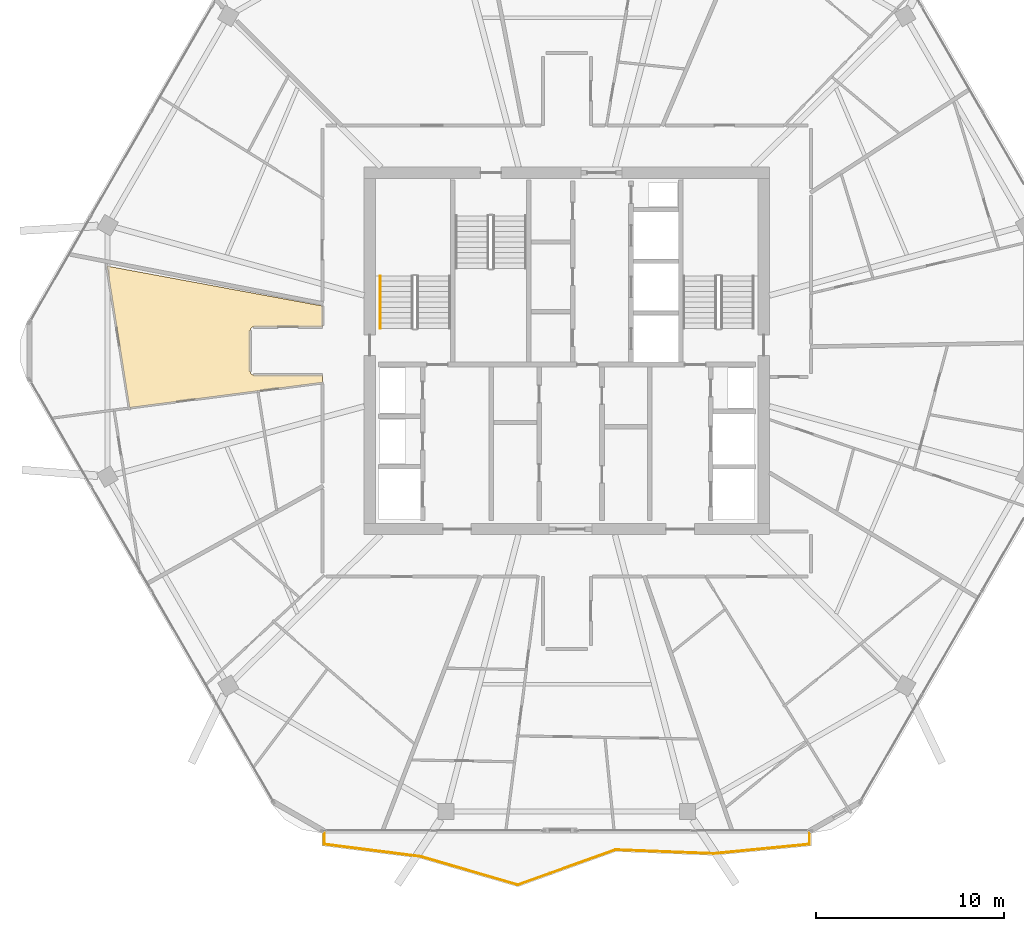
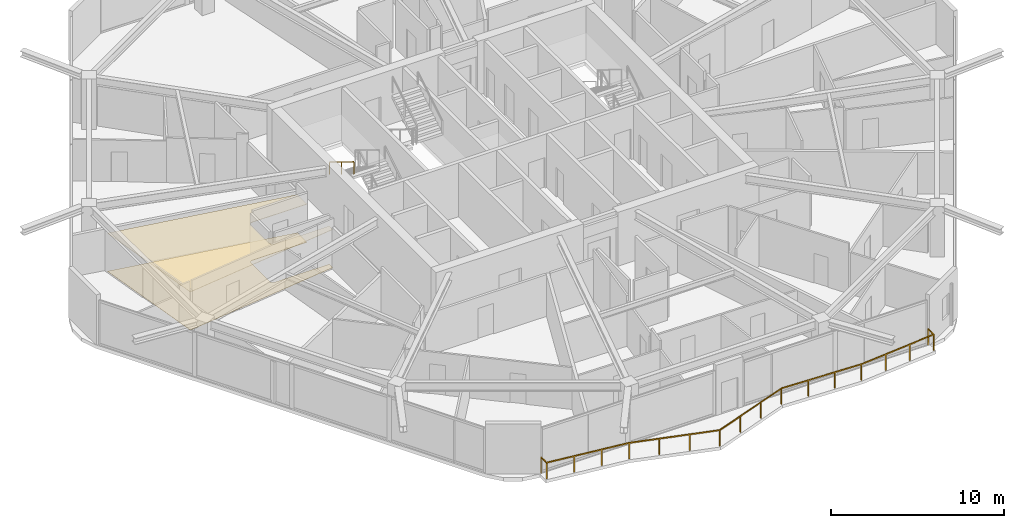
# One storey, part 25 of 26: 2 coverings, 2 railings.
"""IFC4 building model written with IfcOpenShell, lengths in metres."""

import ifcopenshell
import ifcopenshell.guid

model = None  # the IFC model being written
_history = None  # IfcOwnerHistory: only IFC2X3 demands one
_inside = {}  # id of a spatial element -> (the spatial element, [elements in it])
_under = {}  # id of a project, library or spatial element -> (it, [spatial elements below it])
_declared = {}  # id of a project -> (the project, [libraries it declares])
_typed = {}  # id of a type object -> (the type object, [elements of that type])
_made_of = {}  # id of a material, layer set ... -> (it, [elements and type objects made of it])


def new_model(schema):
    """Start an empty IFC model of exactly this schema.

    Asked for "IFC4X3", IfcOpenShell would pick the latest addendum, in which some entities
    have other attributes; the version numbers below select the first issue.
    IFC2X3 requires an IfcOwnerHistory on every rooted entity: one is made here for all.
    """
    global model, _history
    if schema == "IFC4X3":
        model = ifcopenshell.file(schema_version=(4, 3, 0, 0))
    else:
        model = ifcopenshell.file(schema=schema)
    _inside.clear()
    _under.clear()
    _declared.clear()
    _typed.clear()
    _made_of.clear()
    _history = None
    if model.schema == "IFC2X3":
        org = make("IfcOrganization", Name="unknown")
        user = make(
            "IfcPersonAndOrganization",
            ThePerson=make("IfcPerson", FamilyName="unknown"),
            TheOrganization=org,
        )
        app = make(
            "IfcApplication",
            ApplicationDeveloper=org,
            Version="unknown",
            ApplicationFullName="unknown",
            ApplicationIdentifier="unknown",
        )
        _history = make(
            "IfcOwnerHistory",
            OwningUser=user,
            OwningApplication=app,
            ChangeAction="ADDED",
            CreationDate=0,
        )
    return model


def make(cls, **values):
    """One entity of the class cls with the attributes given. An attribute that is None is left unset."""
    return model.create_entity(
        cls, **{name: value for name, value in values.items() if value is not None}
    )


def rooted(cls, **values):
    """An entity with a GlobalId (a new one), such as an element, a storey or a relation."""
    return make(cls, GlobalId=ifcopenshell.guid.new(), OwnerHistory=_history, **values)


def si_unit(unit_type, name, prefix=None):
    """IfcSIUnit, for example si_unit("LENGTHUNIT", "METRE", prefix="MILLI")."""
    return make("IfcSIUnit", UnitType=unit_type, Prefix=prefix, Name=name)


def assignment(units):
    """IfcUnitAssignment: the units of a project."""
    return None if units is None else make("IfcUnitAssignment", Units=units)


def point(xyz):
    """IfcCartesianPoint."""
    return None if xyz is None else make("IfcCartesianPoint", Coordinates=xyz)


def direction(xyz):
    """IfcDirection."""
    return None if xyz is None else make("IfcDirection", DirectionRatios=xyz)


def frame(location, z_axis=None, x_axis=None):
    """IfcAxis2Placement3D, a coordinate frame: its origin and axes. An axis left out is left unset."""
    return make(
        "IfcAxis2Placement3D",
        Location=point(location),
        Axis=direction(z_axis),
        RefDirection=direction(x_axis),
    )


def frame_2d(location, x_axis=None):
    """IfcAxis2Placement2D, a coordinate frame in the plane: its origin and x axis."""
    return make(
        "IfcAxis2Placement2D", Location=point(location), RefDirection=direction(x_axis)
    )


def origin():
    """The frame at (0, 0, 0) with its axes left unset."""
    return frame((0.0, 0.0, 0.0))


def origin_2d():
    """The frame at (0, 0) in the plane with its x axis left unset."""
    return frame_2d((0.0, 0.0))


def place(relative_to, where):
    """IfcLocalPlacement: puts the frame where relative to a parent placement (None: the world)."""
    return make(
        "IfcLocalPlacement", PlacementRelTo=relative_to, RelativePlacement=where
    )


def context(
    kind, dimensions, precision=None, world=None, true_north=None, identifier=None
):
    """IfcGeometricRepresentationContext, for example the 3D "Model" context."""
    return make(
        "IfcGeometricRepresentationContext",
        ContextIdentifier=identifier,
        ContextType=kind,
        CoordinateSpaceDimension=dimensions,
        Precision=precision,
        WorldCoordinateSystem=world,
        TrueNorth=true_north,
    )


def subcontext(parent, identifier, kind, view, scale=None):
    """IfcGeometricRepresentationSubContext, for example "Body" below "Model"."""
    return make(
        "IfcGeometricRepresentationSubContext",
        ContextIdentifier=identifier,
        ContextType=kind,
        ParentContext=parent,
        TargetScale=scale,
        TargetView=view,
    )


def project(units=None, contexts=None):
    """IfcProject with its units and contexts."""
    return rooted(
        "IfcProject",
        Name="project",
        RepresentationContexts=contexts,
        UnitsInContext=assignment(units),
    )


def spatial(cls, under=None, at=None, **own):
    """A site, building, storey or space (cls), placed at a placement, below another one or the project."""
    s = rooted(cls, ObjectPlacement=at, **own)
    if under is not None:
        _under.setdefault(under.id(), (under, []))[1].append(s)
    return s


def polyline(points):
    """IfcPolyline through the points."""
    return make("IfcPolyline", Points=[point(p) for p in points])


def profile(cls, at=None, kind="AREA", **sizes):
    """A parametric profile (cls). Its sizes go by their IFC names, for example OverallWidth=200.0."""
    return make(cls, ProfileType=kind, Position=at, **sizes)


def rectangle(**sizes):
    """IfcRectangleProfileDef."""
    return profile("IfcRectangleProfileDef", **sizes)


def outline(outer, holes=None, kind="AREA"):
    """IfcArbitraryClosedProfileDef: a profile drawn as a closed curve; with holes, ...WithVoids."""
    if holes is None:
        return make("IfcArbitraryClosedProfileDef", ProfileType=kind, OuterCurve=outer)
    return make(
        "IfcArbitraryProfileDefWithVoids",
        ProfileType=kind,
        OuterCurve=outer,
        InnerCurves=holes,
    )


def extrude(swept, where, along, depth):
    """IfcExtrudedAreaSolid: the profile swept, set in the frame where, extruded along a direction by depth."""
    return make(
        "IfcExtrudedAreaSolid",
        SweptArea=swept,
        Position=where,
        ExtrudedDirection=direction(along),
        Depth=depth,
    )


def shape(context_of_items, identifier, shape_type, items):
    """IfcShapeRepresentation: the items that make up one representation, for example the "Body"."""
    return make(
        "IfcShapeRepresentation",
        ContextOfItems=context_of_items,
        RepresentationIdentifier=identifier,
        RepresentationType=shape_type,
        Items=items,
    )


def material(Name=None, Category=None):
    """IfcMaterial."""
    return make("IfcMaterial", Name=Name, Category=Category)


def layer(
    of_material, thickness, ventilated=None, Name=None, Category=None, Priority=None
):
    """IfcMaterialLayer: one layer of a wall or slab, of a material (None: an air gap)."""
    return make(
        "IfcMaterialLayer",
        Material=of_material,
        LayerThickness=thickness,
        IsVentilated=ventilated,
        Name=Name,
        Category=Category,
        Priority=Priority,
    )


def layer_set(layers, Name=None):
    """IfcMaterialLayerSet."""
    return make("IfcMaterialLayerSet", MaterialLayers=layers, LayerSetName=Name)


def made_of(thing, what):
    """Note that an element or type object is made of a material, layer set ...; save() writes the relation."""
    if what is not None:
        _made_of.setdefault(what.id(), (what, []))[1].append(thing)
    return thing


def type_object(cls, material=None, **own):
    """A type object (cls), such as IfcWallType, which elements share."""
    return made_of(rooted(cls, **own), material)


def element(
    cls,
    number,
    at=None,
    inside=None,
    cuts=None,
    type_object=None,
    material=None,
    context=None,
    identifier="Body",
    shape_type=None,
    held_by="IfcProductDefinitionShape",
    body=None,
    shapes=None,
    **own,
):
    """One element of the class cls, such as IfcWall. Its Tag is "e" and its number.

    at: its placement. inside: the storey or other place that contains it. cuts: it is an
    opening in that element (IfcRelVoidsElement). A single representation is given by context,
    identifier, shape_type and body (its items); several are given by shapes. held_by: the class
    of the entity that holds the representations. save() writes the other relations.
    """
    e = rooted(cls, Tag="e%d" % number, ObjectPlacement=at, **own)
    if body is not None:
        shapes = [shape(context, identifier, shape_type, body)]
    if shapes is not None:
        e.Representation = make(held_by, Representations=shapes)
    if inside is not None:
        _inside.setdefault(inside.id(), (inside, []))[1].append(e)
    if cuts is not None:
        rooted(
            "IfcRelVoidsElement", RelatingBuildingElement=cuts, RelatedOpeningElement=e
        )
    if type_object is not None:
        _typed.setdefault(type_object.id(), (type_object, []))[1].append(e)
    return made_of(e, material)


def aggregate(whole, parts):
    """IfcRelAggregates: a whole, such as a stair, and the parts it consists of."""
    return rooted("IfcRelAggregates", RelatingObject=whole, RelatedObjects=parts)


def save(model, path):
    """Write the relations noted so far, then the file.

    IfcRelAggregates (storeys below a building ...), IfcRelContainedInSpatialStructure (elements
    in a storey), IfcRelDefinesByType, IfcRelAssociatesMaterial and IfcRelDeclares: one each for
    every whole, place, type object, material and project.
    """
    for whole, parts in _under.values():
        aggregate(whole, parts)
    for where, things in _inside.values():
        rooted(
            "IfcRelContainedInSpatialStructure",
            RelatedElements=things,
            RelatingStructure=where,
        )
    for kind, things in _typed.values():
        rooted("IfcRelDefinesByType", RelatedObjects=things, RelatingType=kind)
    for what, things in _made_of.values():
        rooted("IfcRelAssociatesMaterial", RelatedObjects=things, RelatingMaterial=what)
    for by, libraries in _declared.values():
        rooted("IfcRelDeclares", RelatingContext=by, RelatedDefinitions=libraries)
    model.write(path)


model = new_model("IFC4")

# Units and contexts
model_context = context("Model", 3, precision=1e-05, world=origin(), true_north=direction((0.0, 1.0)))
body_context = subcontext(model_context, "Body", "Model", "MODEL_VIEW")
ifc_project = project(units=[si_unit("LENGTHUNIT", "METRE"), si_unit("AREAUNIT", "SQUARE_METRE"), si_unit("VOLUMEUNIT", "CUBIC_METRE"), si_unit("PLANEANGLEUNIT", "RADIAN"), si_unit("MASSUNIT", "GRAM", prefix="KILO")], contexts=[model_context])

# Site, building, storey
site_placement = place(None, origin())
site = spatial("IfcSite", under=ifc_project, at=site_placement, CompositionType="ELEMENT")
building_placement = place(site_placement, origin())
building = spatial("IfcBuilding", under=site, at=building_placement, Name="Zuhravey Tower", CompositionType="ELEMENT")
storey_placement = place(building_placement, frame((0.0, 0.0, 288.199951171875)))
storey = spatial("IfcBuildingStorey", under=building, at=storey_placement, Name="L73", CompositionType="ELEMENT", Elevation=288.199951171875)

# Coverings
ifc_material_1 = material(Name="Mineral-fibre acoustic ceiling tile")
ifc_layer_1 = layer(ifc_material_1, 0.02490234375)
ifc_layer_set_1 = layer_set([ifc_layer_1], Name="Mineral-fibre acoustic ceiling tile")
covering_type_1 = type_object("IfcCoveringType", Name="Acoustic Suspended Ceiling", PredefinedType="CEILING", material=ifc_layer_set_1)
covering_1_placement = place(storey_placement, frame((0.0, 0.0, 2.68994140625)))
element("IfcCovering", 1, at=covering_1_placement, inside=storey, type_object=covering_type_1, Name="L73 Acoustic Suspended Ceiling CLG1", PredefinedType="CEILING", context=body_context, shape_type="SweptSolid", body=[
    extrude(outline(polyline([(22.969970703125, 34.39453125), (22.969970703125, 33.280029296875), (19.299072265625, 33.280029296875), (19.263916015625, 33.2763671875), (19.230224609375, 33.265869140625), (19.19921875, 33.2490234375), (19.172119140625, 33.2265625), (19.14990234375, 33.19921875), (19.13330078125, 33.16796875), (19.123291015625, 33.134033203125), (19.1201171875, 33.10009765625), (19.1201171875, 30.89892578125), (19.123779296875, 30.864013671875), (19.140869140625, 30.81591796875), (19.16162109375, 30.78515625), (19.19921875, 30.7509765625), (19.246826171875, 30.72802734375), (19.300048828125, 30.719970703125), (22.969970703125, 30.719970703125), (22.969970703125, 30.318603515625), (12.687744140625, 28.975830078125), (11.49267578125, 36.521728515625), (22.969970703125, 34.39453125)])), origin(), (0.0, 0.0, 1.0), 0.025146484375),
])
ifc_material_2 = material(Name="Porcelain tile finish")
ifc_layer_2 = layer(ifc_material_2, 0.02001953125)
ifc_layer_set_2 = layer_set([ifc_layer_2], Name="Porcelain tile finish")
covering_type_2 = type_object("IfcCoveringType", Name="Apartment Ondol Porcelain Flooring", PredefinedType="FLOORING", material=ifc_layer_set_2)
covering_2_placement = place(storey_placement, origin())
element("IfcCovering", 2, at=covering_2_placement, inside=storey, type_object=covering_type_2, Name="L73 Principal Room Acoustic Flooring", PredefinedType="FLOORING", context=body_context, shape_type="SweptSolid", body=[
    extrude(outline(polyline([(22.969970703125, 34.39453125), (22.969970703125, 33.280029296875), (19.299072265625, 33.280029296875), (19.263916015625, 33.2763671875), (19.230224609375, 33.265869140625), (19.19921875, 33.2490234375), (19.172119140625, 33.2265625), (19.14990234375, 33.19921875), (19.13330078125, 33.16796875), (19.123291015625, 33.134033203125), (19.1201171875, 33.10009765625), (19.1201171875, 30.89892578125), (19.123779296875, 30.864013671875), (19.140869140625, 30.81591796875), (19.16162109375, 30.78515625), (19.19921875, 30.7509765625), (19.246826171875, 30.72802734375), (19.300048828125, 30.719970703125), (22.969970703125, 30.719970703125), (22.969970703125, 30.318603515625), (12.687744140625, 28.975830078125), (11.49267578125, 36.521728515625), (22.969970703125, 34.39453125)])), origin(), (0.0, 0.0, 1.0), 0.02001953125),
])

# Railings
ifc_material_3 = material(Name="Stainless steel 316 and laminated glass", Category="steel")
railing_type_1 = type_object("IfcRailingType", Name="Balcony & Terrace Guardrail 1150", PredefinedType="BALUSTRADE", material=ifc_material_3)
railing_1_placement = place(storey_placement, frame((48.941650390625, 6.351318359375, 0.0)))
element("IfcRailing", 3, at=railing_1_placement, inside=storey, type_object=railing_type_1, Name="L73 Face 5 Wave Balcony Guardrail GR1", PredefinedType="BALUSTRADE", context=body_context, shape_type="SweptSolid", body=[
    extrude(rectangle(XDim=0.048095703125, YDim=0.048095703125, at=origin_2d()), frame((0.0, -0.001953125, 1.1259765625), z_axis=(0.0, -1.0, 0.0), x_axis=(1.0, 0.0, 0.0)), (0.0, 0.0, 1.0), 0.645263671875),
    extrude(rectangle(XDim=0.048095703125, YDim=0.048095703125, at=origin_2d()), frame((-0.001953125, -0.6494140625, 1.1259765625), z_axis=(-0.995218760831, -0.097670968516, 0.0), x_axis=(0.097670968516, -0.995218760831, 0.0)), (0.0, 0.0, 1.0), 5.14013671875),
    extrude(rectangle(XDim=0.048095703125, YDim=0.048095703125, at=origin_2d()), frame((-5.12158203125, -1.151611328125, 1.1259765625), z_axis=(-0.999235528272, 0.039094232816, 0.0), x_axis=(-0.039094232816, -0.999235528272, 0.0)), (0.0, 0.0, 1.0), 5.229248046875),
    extrude(rectangle(XDim=0.048095703125, YDim=0.048095703125, at=origin_2d()), frame((-10.350830078125, -0.94775390625, 1.1259765625), z_axis=(-0.941043758184, -0.338284858046, 0.0), x_axis=(0.338284858046, -0.941043758184, 0.0)), (0.0, 0.0, 1.0), 5.5263671875),
    extrude(rectangle(XDim=0.048095703125, YDim=0.048095703125, at=origin_2d()), frame((-15.55517578125, -2.8173828125, 1.1259765625), z_axis=(-0.960061143699, 0.279790279244, 0.0), x_axis=(-0.279790279244, -0.960061143699, 0.0)), (0.0, 0.0, 1.0), 5.405029296875),
    extrude(rectangle(XDim=0.048095703125, YDim=0.048095703125, at=origin_2d()), frame((-20.748291015625, -1.30419921875, 1.1259765625), z_axis=(-0.992027087702, 0.126024827975, 0.0), x_axis=(-0.126024827975, -0.992027087702, 0.0)), (0.0, 0.0, 1.0), 5.17431640625),
    extrude(rectangle(XDim=0.048095703125, YDim=0.048095703125, at=origin_2d()), frame((-25.88330078125, -0.64990234375, 1.1259765625), z_axis=(0.0, 1.0, 0.0), x_axis=(-1.0, 0.0, 0.0)), (0.0, 0.0, 1.0), 0.64794921875),
    extrude(rectangle(XDim=0.0419921875, YDim=0.0419921875, at=origin_2d()), origin(), (0.0, 0.0, 1.0), 1.099853515625),
    extrude(rectangle(XDim=0.0419921875, YDim=0.0419921875, at=origin_2d()), frame((0.0, -0.649169921875, 0.0)), (0.0, 0.0, 1.0), 1.099853515625),
    extrude(rectangle(XDim=0.0419921875, YDim=0.0419921875, at=origin_2d()), frame((-1.70654296875, -0.816650390625, 0.0)), (0.0, 0.0, 1.0), 1.099853515625),
    extrude(rectangle(XDim=0.0419921875, YDim=0.0419921875, at=origin_2d()), frame((-3.4130859375, -0.984130859375, 0.0)), (0.0, 0.0, 1.0), 1.099853515625),
    extrude(rectangle(XDim=0.0419921875, YDim=0.0419921875, at=origin_2d()), frame((-5.11962890625, -1.151611328125, 0.0)), (0.0, 0.0, 1.0), 1.099853515625),
    extrude(rectangle(XDim=0.0419921875, YDim=0.0419921875, at=origin_2d()), frame((-6.86279296875, -1.08349609375, 0.0)), (0.0, 0.0, 1.0), 1.099853515625),
    extrude(rectangle(XDim=0.0419921875, YDim=0.0419921875, at=origin_2d()), frame((-8.605712890625, -1.01513671875, 0.0)), (0.0, 0.0, 1.0), 1.099853515625),
    extrude(rectangle(XDim=0.0419921875, YDim=0.0419921875, at=origin_2d()), frame((-10.348876953125, -0.947021484375, 0.0)), (0.0, 0.0, 1.0), 1.099853515625),
    extrude(rectangle(XDim=0.0419921875, YDim=0.0419921875, at=origin_2d()), frame((-12.083740234375, -1.570556640625, 0.0)), (0.0, 0.0, 1.0), 1.099853515625),
    extrude(rectangle(XDim=0.0419921875, YDim=0.0419921875, at=origin_2d()), frame((-13.818359375, -2.1943359375, 0.0)), (0.0, 0.0, 1.0), 1.099853515625),
    extrude(rectangle(XDim=0.0419921875, YDim=0.0419921875, at=origin_2d()), frame((-15.55322265625, -2.81787109375, 0.0)), (0.0, 0.0, 1.0), 1.099853515625),
    extrude(rectangle(XDim=0.0419921875, YDim=0.0419921875, at=origin_2d()), frame((-17.2841796875, -2.3134765625, 0.0)), (0.0, 0.0, 1.0), 1.099853515625),
    extrude(rectangle(XDim=0.0419921875, YDim=0.0419921875, at=origin_2d()), frame((-19.015380859375, -1.808837890625, 0.0)), (0.0, 0.0, 1.0), 1.099853515625),
    extrude(rectangle(XDim=0.0419921875, YDim=0.0419921875, at=origin_2d()), frame((-20.746337890625, -1.304443359375, 0.0)), (0.0, 0.0, 1.0), 1.099853515625),
    extrude(rectangle(XDim=0.0419921875, YDim=0.0419921875, at=origin_2d()), frame((-22.458740234375, -1.0869140625, 0.0)), (0.0, 0.0, 1.0), 1.099853515625),
    extrude(rectangle(XDim=0.0419921875, YDim=0.0419921875, at=origin_2d()), frame((-24.1708984375, -0.869384765625, 0.0)), (0.0, 0.0, 1.0), 1.099853515625),
    extrude(rectangle(XDim=0.0419921875, YDim=0.0419921875, at=origin_2d()), frame((-25.88330078125, -0.65185546875, 0.0)), (0.0, 0.0, 1.0), 1.099853515625),
    extrude(rectangle(XDim=0.0419921875, YDim=0.0419921875, at=origin_2d()), frame((-25.88330078125, 0.0, 0.0)), (0.0, 0.0, 1.0), 1.099853515625),
])
ifc_material_4 = material(Name="Brushed stainless steel", Category="steel")
railing_type_2 = type_object("IfcRailingType", Name="Stair Wall Handrail 900", PredefinedType="HANDRAIL", material=ifc_material_4)
railing_2_placement = place(storey_placement, frame((26.050048828125, 36.0, 2.07275390625)))
element("IfcRailing", 4, at=railing_2_placement, inside=storey, type_object=railing_type_2, Name="L73 ST1 stair handrail 2", PredefinedType="HANDRAIL", context=body_context, shape_type="SweptSolid", body=[
    extrude(rectangle(XDim=0.048095703125, YDim=0.048095703125, at=origin_2d()), frame((0.0, -0.001708984375, 0.876953125), z_axis=(0.0, -0.851089632645, 0.525020415988), x_axis=(1.0, 0.0, 0.0)), (0.0, 0.0, 1.0), 3.285888671875),
    extrude(rectangle(XDim=0.0419921875, YDim=0.0419921875, at=origin_2d()), origin(), (0.0, 0.0, 1.0), 0.849853515625),
    extrude(rectangle(XDim=0.0419921875, YDim=0.0419921875, at=origin_2d()), frame((0.0, -1.39990234375, 0.86376953125)), (0.0, 0.0, 1.0), 0.849853515625),
    extrude(rectangle(XDim=0.0419921875, YDim=0.0419921875, at=origin_2d()), frame((0.0, -2.800048828125, 1.727294921875)), (0.0, 0.0, 1.0), 0.849853515625),
])

save(model, "model.ifc")
